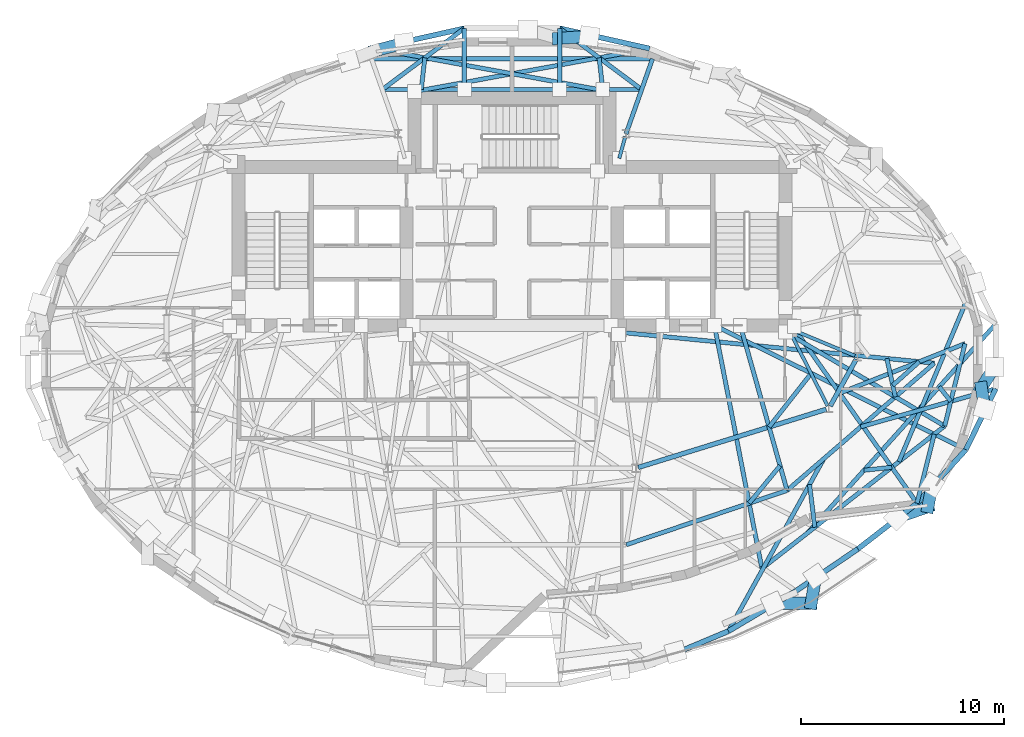
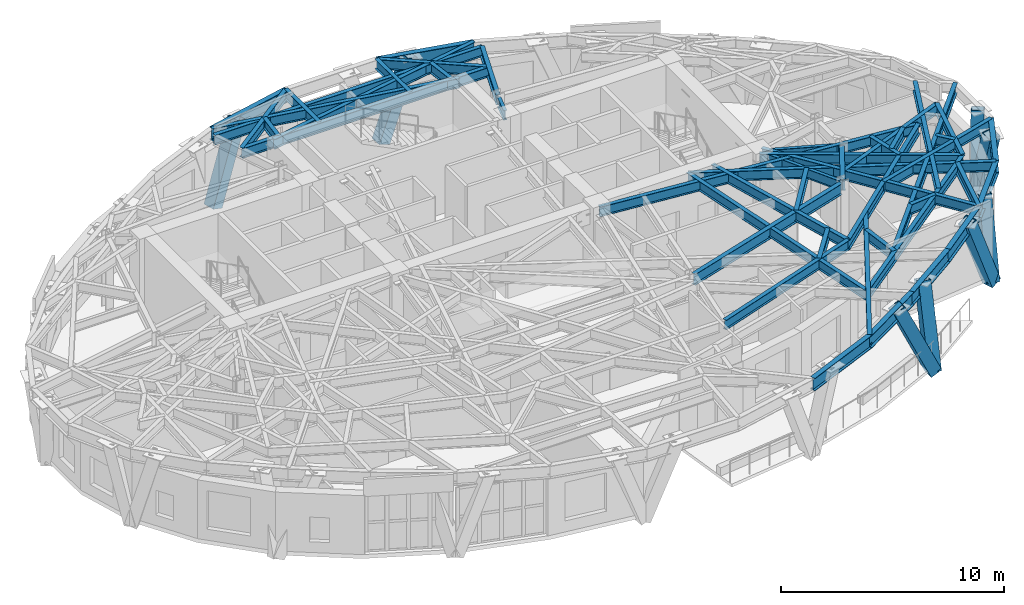
# One storey, part 5 of 15: 47 beams, 8 members.
"""IFC4 building model written with IfcOpenShell, lengths in metres."""

from ifc_helpers import new_model, si_unit, direction, frame, origin, origin_2d, place, context, subcontext, project, spatial, hollow_rectangle, i_section, extrude, material, material_profile, profile_set, type_object, element, save


model = new_model("IFC4")

# Units and contexts
model_context = context("Model", 3, precision=1e-05, world=origin(), true_north=direction((0.0, 1.0)))
body_context = subcontext(model_context, "Body", "Model", "MODEL_VIEW")
ifc_project = project(units=[si_unit("LENGTHUNIT", "METRE"), si_unit("AREAUNIT", "SQUARE_METRE"), si_unit("VOLUMEUNIT", "CUBIC_METRE"), si_unit("PLANEANGLEUNIT", "RADIAN"), si_unit("MASSUNIT", "GRAM", prefix="KILO")], contexts=[model_context])

# Site, building, storey
site_placement = place(None, origin())
site = spatial("IfcSite", under=ifc_project, at=site_placement, CompositionType="ELEMENT")
building_placement = place(site_placement, origin())
building = spatial("IfcBuilding", under=site, at=building_placement, Name="Keldmark Tower", CompositionType="ELEMENT")
storey_placement = place(building_placement, frame((0.0, 0.0, 205.89990234375)))
storey = spatial("IfcBuildingStorey", under=building, at=storey_placement, Name="L57", CompositionType="ELEMENT", Elevation=205.89990234375)

# Members
ifc_material_1 = material(Name="Steel ASTM A572 Grade 50", Category="steel")
ifc_material_profile_1 = material_profile(ifc_material_1, hollow_rectangle(XDim=0.60009765625, YDim=0.60009765625, WallThickness=0.034912109375, at=origin_2d()), Name="BOX600X600X35")
ifc_profile_set_1 = profile_set([ifc_material_profile_1], Name="Steel ASTM A572 Grade 50")
member_type = type_object("IfcMemberType", Name="Diagrid Zone 4 Brace BOX600X600X35", PredefinedType="BRACE", material=ifc_profile_set_1)
member_1_placement = place(storey_placement, frame((2.266357421875, 15.66650390625, -0.2998046875), z_axis=(0.352021323762, 0.024961309441, 0.93565908356), x_axis=(-0.070730920157, 0.997495432037, 0.0)))
element("IfcMember", 1, at=member_1_placement, inside=storey, type_object=member_type, Name="L57 Perimeter Diagrid Brace 04A", PredefinedType="BRACE", context=body_context, shape_type="SweptSolid", body=[
    extrude(hollow_rectangle(XDim=0.60009765625, YDim=0.60009765625, WallThickness=0.034912109375, at=origin_2d()), origin(), (0.0, 0.0, 1.0), 4.3818359375),
])
member_2_placement = place(storey_placement, frame((-6.7578125, 15.06005859375, -0.2998046875), z_axis=(0.333888809849, 0.087244799494, 0.938566251055), x_axis=(-0.252810854011, 0.967515721885, 0.0)))
element("IfcMember", 2, at=member_2_placement, inside=storey, type_object=member_type, Name="L57 Perimeter Diagrid Brace 05A", PredefinedType="BRACE", context=body_context, shape_type="SweptSolid", body=[
    extrude(hollow_rectangle(XDim=0.60009765625, YDim=0.60009765625, WallThickness=0.034912109375, at=origin_2d()), origin(), (0.0, 0.0, 1.0), 4.3681640625),
])
member_3_placement = place(storey_placement, frame((14.753173828125, -12.16064453125, -0.2998046875), z_axis=(-0.420410725839, -0.001350760589, 0.907332903099), x_axis=(0.003212938049, -0.999994838501, 0.0)))
element("IfcMember", 3, at=member_3_placement, inside=storey, type_object=member_type, Name="L57 Perimeter Diagrid Brace 14A", PredefinedType="BRACE", context=body_context, shape_type="SweptSolid", body=[
    extrude(hollow_rectangle(XDim=0.60009765625, YDim=0.60009765625, WallThickness=0.034912109375, at=origin_2d()), origin(), (0.0, 0.0, 1.0), 4.5185546875),
])
member_4_placement = place(storey_placement, frame((14.743408203125, -12.167236328125, -0.2998046875), z_axis=(0.052328467273, 0.310975761777, 0.9489761889), x_axis=(-0.986136029959, 0.165938935806, 0.0)))
element("IfcMember", 4, at=member_4_placement, inside=storey, type_object=member_type, Name="L57 Perimeter Diagrid Brace 14B", PredefinedType="BRACE", context=body_context, shape_type="SweptSolid", body=[
    extrude(hollow_rectangle(XDim=0.60009765625, YDim=0.60009765625, WallThickness=0.034912109375, at=origin_2d()), origin(), (0.0, 0.0, 1.0), 4.3203125),
])
member_5_placement = place(storey_placement, frame((20.50244140625, -7.409912109375, -0.2998046875), z_axis=(-0.353329180023, -0.121790033133, 0.927537426939), x_axis=(0.325876815168, -0.945412238833, 0.0)))
element("IfcMember", 5, at=member_5_placement, inside=storey, type_object=member_type, Name="L57 Perimeter Diagrid Brace 15A", PredefinedType="BRACE", context=body_context, shape_type="SweptSolid", body=[
    extrude(hollow_rectangle(XDim=0.60009765625, YDim=0.60009765625, WallThickness=0.034912109375, at=origin_2d()), origin(), (0.0, 0.0, 1.0), 4.420166015625),
])
member_6_placement = place(storey_placement, frame((20.495849609375, -7.419921875, -0.2998046875), z_axis=(0.049716248385, 0.25680022865, 0.965184923842), x_axis=(-0.981770592836, 0.190069732051, 0.0)))
element("IfcMember", 6, at=member_6_placement, inside=storey, type_object=member_type, Name="L57 Perimeter Diagrid Brace 15B", PredefinedType="BRACE", context=body_context, shape_type="SweptSolid", body=[
    extrude(hollow_rectangle(XDim=0.60009765625, YDim=0.60009765625, WallThickness=0.034912109375, at=origin_2d()), origin(), (0.0, 0.0, 1.0), 4.247802734375),
])
member_7_placement = place(storey_placement, frame((23.13037109375, -1.53125, -0.2998046875), z_axis=(0.036901688862, -0.247183656488, 0.968265720412), x_axis=(0.989039339136, 0.147652245637, 0.0)))
element("IfcMember", 7, at=member_7_placement, inside=storey, type_object=member_type, Name="L57 Perimeter Diagrid Brace 16A", PredefinedType="BRACE", context=body_context, shape_type="SweptSolid", body=[
    extrude(hollow_rectangle(XDim=0.60009765625, YDim=0.60009765625, WallThickness=0.034912109375, at=origin_2d()), origin(), (0.0, 0.0, 1.0), 4.234130859375),
])
member_8_placement = place(storey_placement, frame((23.128173828125, -1.542724609375, -0.2998046875), z_axis=(0.151222083396, 0.238173353109, 0.959377577058), x_axis=(-0.844211360784, 0.536010427439, 0.0)))
element("IfcMember", 8, at=member_8_placement, inside=storey, type_object=member_type, Name="L57 Perimeter Diagrid Brace 16B", PredefinedType="BRACE", context=body_context, shape_type="SweptSolid", body=[
    extrude(hollow_rectangle(XDim=0.60009765625, YDim=0.60009765625, WallThickness=0.034912109375, at=origin_2d()), origin(), (0.0, 0.0, 1.0), 4.2734375),
])

# Beams
ifc_material_2 = material(Name="Steel ASTM A992 Grade 50", Category="steel")
ifc_material_profile_2 = material_profile(ifc_material_2, i_section(OverallWidth=0.22802734375, OverallDepth=0.60302734375, WebThickness=0.010498046875, FlangeThickness=0.014892578125, at=origin_2d()), Name="W24X68")
ifc_profile_set_2 = profile_set([ifc_material_profile_2], Name="Steel ASTM A992 Grade 50")
beam_type_1 = type_object("IfcBeamType", Name="Primary Floor Girder W24X68", PredefinedType="BEAM", material=ifc_profile_set_2)
beam_1_placement = place(storey_placement, frame((6.223388671875, -5.471435546875, 3.61865234375), z_axis=(0.955383255089, 0.295368982622, 0.0), x_axis=(-0.295368982622, 0.955383255089, 0.0)))
element("IfcBeam", 9, at=beam_1_placement, inside=storey, type_object=beam_type_1, Name="L57 Floor Ring Girder FG-R10", PredefinedType="BEAM", context=body_context, shape_type="SweptSolid", body=[
    extrude(i_section(OverallWidth=0.22802734375, OverallDepth=0.60302734375, WebThickness=0.010498046875, FlangeThickness=0.014892578125, at=origin_2d()), origin(), (0.0, 0.0, 1.0), 9.69140625),
])
beam_2_placement = place(storey_placement, frame((15.68408203125, -2.44482421875, 3.61865234375), z_axis=(0.484719680408, 0.874669555561, 0.0), x_axis=(-0.874669555561, 0.484719680408, 0.0)))
element("IfcBeam", 10, at=beam_2_placement, inside=storey, type_object=beam_type_1, Name="L57 Floor Ring Girder FG-R11", PredefinedType="BEAM", context=body_context, shape_type="SweptSolid", body=[
    extrude(i_section(OverallWidth=0.22802734375, OverallDepth=0.60302734375, WebThickness=0.010498046875, FlangeThickness=0.014892578125, at=origin_2d()), origin(), (0.0, 0.0, 1.0), 2.627685546875),
])
ifc_material_3 = material(Name="Steel ASTM A992 Grade 50", Category="steel")
ifc_material_profile_3 = material_profile(ifc_material_3, i_section(OverallWidth=0.166015625, OverallDepth=0.529052734375, WebThickness=0.009765625, FlangeThickness=0.013671875, at=origin_2d()), Name="W21X50")
ifc_profile_set_3 = profile_set([ifc_material_profile_3], Name="Steel ASTM A992 Grade 50")
beam_type_2 = type_object("IfcBeamType", Name="Radial Tie Girder W21X50", PredefinedType="BEAM", material=ifc_profile_set_3)
beam_3_placement = place(storey_placement, frame((5.581298828125, 10.83203125, 3.655517578125), z_axis=(-0.265936023434, -0.963990680163, 0.0), x_axis=(0.963990680163, -0.265936023434, 0.0)))
element("IfcBeam", 11, at=beam_3_placement, inside=storey, type_object=beam_type_2, Name="L57 Floor Radial Girder FG-C03", PredefinedType="BEAM", context=body_context, shape_type="SweptSolid", body=[
    extrude(i_section(OverallWidth=0.166015625, OverallDepth=0.529052734375, WebThickness=0.009765625, FlangeThickness=0.013671875, at=origin_2d()), origin(), (0.0, 0.0, 1.0), 1.113525390625),
])
beam_4_placement = place(storey_placement, frame((15.552734375, -2.442626953125, 3.655517578125), z_axis=(-0.453004410574, 0.89150827478, 0.0), x_axis=(-0.89150827478, -0.453004410574, 0.0)))
element("IfcBeam", 12, at=beam_4_placement, inside=storey, type_object=beam_type_2, Name="L57 Floor Radial Girder FG-C11", PredefinedType="BEAM", context=body_context, shape_type="SweptSolid", body=[
    extrude(i_section(OverallWidth=0.166015625, OverallDepth=0.529052734375, WebThickness=0.009765625, FlangeThickness=0.013671875, at=origin_2d()), origin(), (0.0, 0.0, 1.0), 3.990234375),
])
beam_5_placement = place(storey_placement, frame((16.896240234375, 0.02978515625, 3.655517578125), z_axis=(-0.923403331902, 0.383831065226, 0.0), x_axis=(-0.383831065226, -0.923403331902, 0.0)))
element("IfcBeam", 13, at=beam_5_placement, inside=storey, type_object=beam_type_2, Name="L57 Floor Radial Girder FG-C12", PredefinedType="BEAM", context=body_context, shape_type="SweptSolid", body=[
    extrude(i_section(OverallWidth=0.166015625, OverallDepth=0.529052734375, WebThickness=0.009765625, FlangeThickness=0.013671875, at=origin_2d()), origin(), (0.0, 0.0, 1.0), 3.249755859375),
])
ifc_material_4 = material(Name="Steel ASTM A992 Grade 50", Category="steel")
ifc_material_profile_4 = material_profile(ifc_material_4, i_section(OverallWidth=0.2099609375, OverallDepth=0.537109375, WebThickness=0.010986328125, FlangeThickness=0.017333984375, at=origin_2d()), Name="W21X68")
ifc_profile_set_4 = profile_set([ifc_material_profile_4], Name="Steel ASTM A992 Grade 50")
beam_type_3 = type_object("IfcBeamType", Name="Radial Tie Girder W21X68", PredefinedType="BEAM", material=ifc_profile_set_4)
beam_6_placement = place(storey_placement, frame((14.7392578125, -0.841796875, 3.651611328125), z_axis=(-0.617618935056, -0.786477495584, 0.0), x_axis=(0.786477495584, -0.617618935056, 0.0)))
element("IfcBeam", 14, at=beam_6_placement, inside=storey, type_object=beam_type_3, Name="L57 Framing Pin Header PH-005", PredefinedType="BEAM", context=body_context, shape_type="SweptSolid", body=[
    extrude(i_section(OverallWidth=0.2099609375, OverallDepth=0.537109375, WebThickness=0.010986328125, FlangeThickness=0.017333984375, at=origin_2d()), origin(), (0.0, 0.0, 1.0), 3.352783203125),
])
beam_7_placement = place(storey_placement, frame((11.25, 1.52490234375, 3.651611328125), z_axis=(0.272717552045, -0.962094141343, 0.0), x_axis=(0.962094141343, 0.272717552045, 0.0)))
element("IfcBeam", 15, at=beam_7_placement, inside=storey, type_object=beam_type_3, Name="L57 Sub-Ring Step Girder STP1-M11", PredefinedType="BEAM", context=body_context, shape_type="SweptSolid", body=[
    extrude(i_section(OverallWidth=0.2099609375, OverallDepth=0.537109375, WebThickness=0.010986328125, FlangeThickness=0.017333984375, at=origin_2d()), origin(), (0.0, 0.0, 1.0), 8.45166015625),
])
beam_8_placement = place(storey_placement, frame((5.199951171875, 1.199951171875, 3.651611328125), z_axis=(0.995201014348, -0.097851627681, 0.0), x_axis=(0.097851627681, 0.995201014348, 0.0)))
element("IfcBeam", 16, at=beam_8_placement, inside=storey, type_object=beam_type_3, Name="L57 Sub-Ring Step Girder STP1-M12", PredefinedType="BEAM", context=body_context, shape_type="SweptSolid", body=[
    extrude(i_section(OverallWidth=0.2099609375, OverallDepth=0.537109375, WebThickness=0.010986328125, FlangeThickness=0.017333984375, at=origin_2d()), origin(), (0.0, 0.0, 1.0), 15.68603515625),
])
beam_9_placement = place(storey_placement, frame((5.629638671875, -9.2802734375, 3.651611328125), z_axis=(0.947526985523, 0.319675791555, 0.0), x_axis=(-0.319675791555, 0.947526985523, 0.0)))
element("IfcBeam", 17, at=beam_9_placement, inside=storey, type_object=beam_type_3, Name="L57 Perimeter Collector Ring Beam CRG1-M10", PredefinedType="BEAM", context=body_context, shape_type="SweptSolid", body=[
    extrude(i_section(OverallWidth=0.2099609375, OverallDepth=0.537109375, WebThickness=0.010986328125, FlangeThickness=0.017333984375, at=origin_2d()), origin(), (0.0, 0.0, 1.0), 8.3642578125),
])
beam_10_placement = place(storey_placement, frame((13.554931640625, -6.6064453125, 3.651611328125), z_axis=(0.756561937263, 0.653922040525, 0.0), x_axis=(-0.653922040525, 0.756561937263, 0.0)))
element("IfcBeam", 18, at=beam_10_placement, inside=storey, type_object=beam_type_3, Name="L57 Perimeter Collector Ring Beam CRG1-M11", PredefinedType="BEAM", context=body_context, shape_type="SweptSolid", body=[
    extrude(i_section(OverallWidth=0.2099609375, OverallDepth=0.537109375, WebThickness=0.010986328125, FlangeThickness=0.017333984375, at=origin_2d()), origin(), (0.0, 0.0, 1.0), 9.590576171875),
])
beam_11_placement = place(storey_placement, frame((13.209228515625, -5.38671875, 3.651611328125), z_axis=(-0.635492976901, -0.772106648274, 0.0), x_axis=(0.772106648274, -0.635492976901, 0.0)))
element("IfcBeam", 19, at=beam_11_placement, inside=storey, type_object=beam_type_3, Name="L57 Framing Pin Header PH-010", PredefinedType="BEAM", context=body_context, shape_type="SweptSolid", body=[
    extrude(i_section(OverallWidth=0.2099609375, OverallDepth=0.537109375, WebThickness=0.010986328125, FlangeThickness=0.017333984375, at=origin_2d()), origin(), (0.0, 0.0, 1.0), 2.396484375),
])
beam_12_placement = place(storey_placement, frame((9.97509765625, 1.52490234375, 3.651611328125), z_axis=(0.191675309718, -0.981458392213, 0.0), x_axis=(0.981458392213, 0.191675309718, 0.0)))
element("IfcBeam", 20, at=beam_12_placement, inside=storey, type_object=beam_type_3, Name="L57 Sub-Ring Step Girder STP2-M11", PredefinedType="BEAM", context=body_context, shape_type="SweptSolid", body=[
    extrude(i_section(OverallWidth=0.2099609375, OverallDepth=0.537109375, WebThickness=0.010986328125, FlangeThickness=0.017333984375, at=origin_2d()), origin(), (0.0, 0.0, 1.0), 12.2060546875),
])
beam_13_placement = place(storey_placement, frame((18.468994140625, -0.104736328125, 3.651611328125), z_axis=(0.216890425907, -0.976195955303, 0.0), x_axis=(0.976195955303, 0.216890425907, 0.0)))
element("IfcBeam", 21, at=beam_13_placement, inside=storey, type_object=beam_type_3, Name="L57 Framing Pin Header PH-011", PredefinedType="BEAM", context=body_context, shape_type="SweptSolid", body=[
    extrude(i_section(OverallWidth=0.2099609375, OverallDepth=0.537109375, WebThickness=0.010986328125, FlangeThickness=0.017333984375, at=origin_2d()), origin(), (0.0, 0.0, 1.0), 1.937255859375),
])
beam_14_placement = place(storey_placement, frame((13.47509765625, 1.199951171875, 3.651611328125), z_axis=(0.861156890222, -0.508339267048, 0.0), x_axis=(0.508339267048, 0.861156890222, 0.0)))
element("IfcBeam", 22, at=beam_14_placement, inside=storey, type_object=beam_type_3, Name="L57 Sub-Ring Step Girder STP2-M12", PredefinedType="BEAM", context=body_context, shape_type="SweptSolid", body=[
    extrude(i_section(OverallWidth=0.2099609375, OverallDepth=0.537109375, WebThickness=0.010986328125, FlangeThickness=0.017333984375, at=origin_2d()), origin(), (0.0, 0.0, 1.0), 9.111328125),
])
beam_15_placement = place(storey_placement, frame((12.314697265625, -10.454833984375, 3.651611328125), z_axis=(0.788585022885, 0.61492573672, 0.0), x_axis=(-0.61492573672, 0.788585022885, 0.0)))
element("IfcBeam", 23, at=beam_15_placement, inside=storey, type_object=beam_type_3, Name="L57 Perimeter Collector Ring Beam CRG2-M11", PredefinedType="BEAM", context=body_context, shape_type="SweptSolid", body=[
    extrude(i_section(OverallWidth=0.2099609375, OverallDepth=0.537109375, WebThickness=0.010986328125, FlangeThickness=0.017333984375, at=origin_2d()), origin(), (0.0, 0.0, 1.0), 11.421142578125),
])
beam_16_placement = place(storey_placement, frame((18.76318359375, -1.428466796875, 3.651611328125), z_axis=(0.745915401159, 0.666040700194, 0.0), x_axis=(-0.666040700194, 0.745915401159, 0.0)))
element("IfcBeam", 24, at=beam_16_placement, inside=storey, type_object=beam_type_3, Name="L57 Framing Pin Header PH-012", PredefinedType="BEAM", context=body_context, shape_type="SweptSolid", body=[
    extrude(i_section(OverallWidth=0.2099609375, OverallDepth=0.537109375, WebThickness=0.010986328125, FlangeThickness=0.017333984375, at=origin_2d()), origin(), (0.0, 0.0, 1.0), 1.75146484375),
])
beam_17_placement = place(storey_placement, frame((16.00244140625, -1.870361328125, 3.651611328125), z_axis=(0.929941009865, 0.36770874095, 0.0), x_axis=(-0.36770874095, 0.929941009865, 0.0)))
element("IfcBeam", 25, at=beam_17_placement, inside=storey, type_object=beam_type_3, Name="L57 Intermediate Radial Step Girder RT-01M", PredefinedType="BEAM", context=body_context, shape_type="SweptSolid", body=[
    extrude(i_section(OverallWidth=0.2099609375, OverallDepth=0.537109375, WebThickness=0.010986328125, FlangeThickness=0.017333984375, at=origin_2d()), origin(), (0.0, 0.0, 1.0), 6.796142578125),
])
beam_18_placement = place(storey_placement, frame((21.3212890625, -3.431640625, 3.651611328125), z_axis=(0.239416195825, 0.970917033107, 0.0), x_axis=(-0.970917033107, 0.239416195825, 0.0)))
element("IfcBeam", 26, at=beam_18_placement, inside=storey, type_object=beam_type_3, Name="L57 Local Collector Chord RT-01C", PredefinedType="BEAM", context=body_context, shape_type="SweptSolid", body=[
    extrude(i_section(OverallWidth=0.2099609375, OverallDepth=0.537109375, WebThickness=0.010986328125, FlangeThickness=0.017333984375, at=origin_2d()), origin(), (0.0, 0.0, 1.0), 4.181884765625),
])
beam_19_placement = place(storey_placement, frame((14.56640625, -8.69921875, 3.651611328125), z_axis=(0.669173129209, 0.743106535528, 0.0), x_axis=(-0.743106535528, 0.669173129209, 0.0)))
element("IfcBeam", 27, at=beam_19_placement, inside=storey, type_object=beam_type_3, Name="L57 Perimeter Radial Tie Girder RT-01", PredefinedType="BEAM", context=body_context, shape_type="SweptSolid", body=[
    extrude(i_section(OverallWidth=0.2099609375, OverallDepth=0.537109375, WebThickness=0.010986328125, FlangeThickness=0.017333984375, at=origin_2d()), origin(), (0.0, 0.0, 1.0), 13.849365234375),
])
beam_20_placement = place(storey_placement, frame((19.069580078125, -5.1875, 3.651611328125), z_axis=(0.386869944075, 0.922134288686, 0.0), x_axis=(-0.922134288686, 0.386869944075, 0.0)))
element("IfcBeam", 28, at=beam_20_placement, inside=storey, type_object=beam_type_3, Name="L57 Intermediate Radial Step Girder RT-02M", PredefinedType="BEAM", context=body_context, shape_type="SweptSolid", body=[
    extrude(i_section(OverallWidth=0.2099609375, OverallDepth=0.537109375, WebThickness=0.010986328125, FlangeThickness=0.017333984375, at=origin_2d()), origin(), (0.0, 0.0, 1.0), 8.46142578125),
])
beam_21_placement = place(storey_placement, frame((15.368896484375, -5.03857421875, 3.651611328125), z_axis=(-0.484071214072, -0.875028605079, 0.0), x_axis=(0.875028605079, -0.484071214072, 0.0)))
element("IfcBeam", 29, at=beam_21_placement, inside=storey, type_object=beam_type_3, Name="L57 Perimeter Radial Tie Girder RT-27", PredefinedType="BEAM", context=body_context, shape_type="SweptSolid", body=[
    extrude(i_section(OverallWidth=0.2099609375, OverallDepth=0.537109375, WebThickness=0.010986328125, FlangeThickness=0.017333984375, at=origin_2d()), origin(), (0.0, 0.0, 1.0), 9.711669921875),
])
beam_22_placement = place(storey_placement, frame((14.663818359375, -6.313232421875, 3.651611328125), z_axis=(0.121728395042, -0.992563447766, 0.0), x_axis=(0.992563447766, 0.121728395042, 0.0)))
element("IfcBeam", 30, at=beam_22_placement, inside=storey, type_object=beam_type_3, Name="L57 Framing Pin Header PH-029", PredefinedType="BEAM", context=body_context, shape_type="SweptSolid", body=[
    extrude(i_section(OverallWidth=0.2099609375, OverallDepth=0.537109375, WebThickness=0.010986328125, FlangeThickness=0.017333984375, at=origin_2d()), origin(), (0.0, 0.0, 1.0), 2.1240234375),
])
beam_23_placement = place(storey_placement, frame((17.3466796875, -5.61181640625, 3.651611328125), z_axis=(0.994286285301, 0.106746348243, 0.0), x_axis=(-0.106746348243, 0.994286285301, 0.0)))
element("IfcBeam", 31, at=beam_23_placement, inside=storey, type_object=beam_type_3, Name="L57 Framing Pin Header PH-030", PredefinedType="BEAM", context=body_context, shape_type="SweptSolid", body=[
    extrude(i_section(OverallWidth=0.2099609375, OverallDepth=0.537109375, WebThickness=0.010986328125, FlangeThickness=0.017333984375, at=origin_2d()), origin(), (0.0, 0.0, 1.0), 1.37451171875),
])
beam_24_placement = place(storey_placement, frame((13.800048828125, 1.52490234375, 3.651611328125), z_axis=(0.575066374524, -0.818106756415, 0.0), x_axis=(0.818106756415, 0.575066374524, 0.0)))
element("IfcBeam", 32, at=beam_24_placement, inside=storey, type_object=beam_type_3, Name="L57 Perimeter Radial Tie Girder RT-30", PredefinedType="BEAM", context=body_context, shape_type="SweptSolid", body=[
    extrude(i_section(OverallWidth=0.2099609375, OverallDepth=0.537109375, WebThickness=0.010986328125, FlangeThickness=0.017333984375, at=origin_2d()), origin(), (0.0, 0.0, 1.0), 10.708251953125),
])
beam_25_placement = place(storey_placement, frame((19.9580078125, -7.235595703125, 3.651611328125), z_axis=(0.242257238449, 0.970212054357, 0.0), x_axis=(-0.970212054357, 0.242257238449, 0.0)))
element("IfcBeam", 33, at=beam_25_placement, inside=storey, type_object=beam_type_3, Name="L57 Framing Pin Header PH-031", PredefinedType="BEAM", context=body_context, shape_type="SweptSolid", body=[
    extrude(i_section(OverallWidth=0.2099609375, OverallDepth=0.537109375, WebThickness=0.010986328125, FlangeThickness=0.017333984375, at=origin_2d()), origin(), (0.0, 0.0, 1.0), 3.508056640625),
])
beam_26_placement = place(storey_placement, frame((9.97509765625, 1.52490234375, 3.651611328125), z_axis=(0.896386437342, -0.443273453919, 0.0), x_axis=(0.443273453919, 0.896386437342, 0.0)))
element("IfcBeam", 34, at=beam_26_placement, inside=storey, type_object=beam_type_3, Name="L57 Perimeter Radial Tie Girder RT-31", PredefinedType="BEAM", context=body_context, shape_type="SweptSolid", body=[
    extrude(i_section(OverallWidth=0.2099609375, OverallDepth=0.537109375, WebThickness=0.010986328125, FlangeThickness=0.017333984375, at=origin_2d()), origin(), (0.0, 0.0, 1.0), 13.8203125),
])
beam_27_placement = place(storey_placement, frame((21.0537109375, -1.4951171875, 3.651611328125), z_axis=(0.617469165216, -0.786595086438, 0.0), x_axis=(0.786595086438, 0.617469165216, 0.0)))
element("IfcBeam", 35, at=beam_27_placement, inside=storey, type_object=beam_type_3, Name="L57 Framing Pin Header PH-032", PredefinedType="BEAM", context=body_context, shape_type="SweptSolid", body=[
    extrude(i_section(OverallWidth=0.2099609375, OverallDepth=0.537109375, WebThickness=0.010986328125, FlangeThickness=0.017333984375, at=origin_2d()), origin(), (0.0, 0.0, 1.0), 0.918212890625),
])
beam_28_placement = place(storey_placement, frame((17.182861328125, -3.470703125, 3.651611328125), z_axis=(0.96235661731, 0.271789884138, 0.0), x_axis=(-0.271789884138, 0.96235661731, 0.0)))
element("IfcBeam", 36, at=beam_28_placement, inside=storey, type_object=beam_type_3, Name="L57 Perimeter Radial Tie Girder RT-32", PredefinedType="BEAM", context=body_context, shape_type="SweptSolid", body=[
    extrude(i_section(OverallWidth=0.2099609375, OverallDepth=0.537109375, WebThickness=0.010986328125, FlangeThickness=0.017333984375, at=origin_2d()), origin(), (0.0, 0.0, 1.0), 6.911376953125),
])
beam_29_placement = place(storey_placement, frame((5.61865234375, 10.967041015625, 3.651611328125), z_axis=(0.332956941914, 0.942942031533, 0.0), x_axis=(-0.942942031533, 0.332956941914, 0.0)))
element("IfcBeam", 37, at=beam_29_placement, inside=storey, type_object=beam_type_3, Name="L57 North Column Cantilever Girder East FG-TCN-E", PredefinedType="BEAM", context=body_context, shape_type="SweptSolid", body=[
    extrude(i_section(OverallWidth=0.2099609375, OverallDepth=0.537109375, WebThickness=0.010986328125, FlangeThickness=0.017333984375, at=origin_2d()), origin(), (0.0, 0.0, 1.0), 3.919921875),
])
beam_30_placement = place(storey_placement, frame((-6.923828125, 14.663330078125, 3.651611328125), z_axis=(1.0, 0.0, 0.0), x_axis=(0.0, 1.0, 0.0)))
element("IfcBeam", 38, at=beam_30_placement, inside=storey, type_object=beam_type_3, Name="L57 North Outer Header Girder FG-TCN-H1", PredefinedType="BEAM", context=body_context, shape_type="SweptSolid", body=[
    extrude(i_section(OverallWidth=0.2099609375, OverallDepth=0.537109375, WebThickness=0.010986328125, FlangeThickness=0.017333984375, at=origin_2d()), origin(), (0.0, 0.0, 1.0), 13.84765625),
])
beam_31_placement = place(storey_placement, frame((-6.389404296875, 13.14990234375, 3.651611328125), z_axis=(1.0, 0.0, 0.0), x_axis=(0.0, 1.0, 0.0)))
element("IfcBeam", 39, at=beam_31_placement, inside=storey, type_object=beam_type_3, Name="L57 North Inner Header Girder FG-TCN-H0", PredefinedType="BEAM", context=body_context, shape_type="SweptSolid", body=[
    extrude(i_section(OverallWidth=0.2099609375, OverallDepth=0.537109375, WebThickness=0.010986328125, FlangeThickness=0.017333984375, at=origin_2d()), origin(), (0.0, 0.0, 1.0), 12.77880859375),
])
for number, where, z_axis, x_axis, name in (
    (40, (2.347412109375, 13.14990234375, 3.651611328125), (0.0, 1.0, 0.0), (-1.0, 0.0, 0.0), "L57 North Continuous Radial Girder RT-08N"),
    (41, (-2.347412109375, 13.14990234375, 3.651611328125), (0.0, 1.0, 0.0), (-1.0, 0.0, 0.0), "L57 North Continuous Radial Girder RT-09N"),
):
    element("IfcBeam", number, at=place(storey_placement, frame(where, z_axis=z_axis, x_axis=x_axis)), inside=storey, type_object=beam_type_3, Name=name, PredefinedType="BEAM", context=body_context, shape_type="SweptSolid", body=[
        extrude(i_section(OverallWidth=0.2099609375, OverallDepth=0.537109375, WebThickness=0.010986328125, FlangeThickness=0.017333984375, at=origin_2d()), origin(), (0.0, 0.0, 1.0), 3.015869140625),
    ])
beam_32_placement = place(storey_placement, frame((6.389404296875, 13.14990234375, 3.651611328125), z_axis=(-0.801484714018, 0.598015261674, 0.0), x_axis=(-0.598015261674, -0.801484714018, 0.0)))
element("IfcBeam", 42, at=beam_32_placement, inside=storey, type_object=beam_type_3, Name="L57 Straddling Support Chord RT-07RB", PredefinedType="BEAM", context=body_context, shape_type="SweptSolid", body=[
    extrude(i_section(OverallWidth=0.2099609375, OverallDepth=0.537109375, WebThickness=0.010986328125, FlangeThickness=0.017333984375, at=origin_2d()), origin(), (0.0, 0.0, 1.0), 5.043212890625),
])
beam_33_placement = place(storey_placement, frame((4.47265625, 13.14990234375, 3.651611328125), z_axis=(-0.113275255472, 0.993563644915, 0.0), x_axis=(-0.993563644915, -0.113275255472, 0.0)))
element("IfcBeam", 43, at=beam_33_placement, inside=storey, type_object=beam_type_3, Name="L57 Framing Pin Header PH-034", PredefinedType="BEAM", context=body_context, shape_type="SweptSolid", body=[
    extrude(i_section(OverallWidth=0.2099609375, OverallDepth=0.537109375, WebThickness=0.010986328125, FlangeThickness=0.017333984375, at=origin_2d()), origin(), (0.0, 0.0, 1.0), 1.5732421875),
])
beam_34_placement = place(storey_placement, frame((-4.800048828125, 13.050048828125, 3.651611328125), z_axis=(0.98369029267, 0.179870531513, 0.0), x_axis=(-0.179870531513, 0.98369029267, 0.0)))
element("IfcBeam", 44, at=beam_34_placement, inside=storey, type_object=beam_type_3, Name="L57 Perimeter Radial Tie Girder RT-07R", PredefinedType="BEAM", context=body_context, shape_type="SweptSolid", body=[
    extrude(i_section(OverallWidth=0.2099609375, OverallDepth=0.537109375, WebThickness=0.010986328125, FlangeThickness=0.017333984375, at=origin_2d()), origin(), (0.0, 0.0, 1.0), 11.776123046875),
])
beam_35_placement = place(storey_placement, frame((-2.347412109375, 16.165771484375, 3.651611328125), z_axis=(-0.801484714018, -0.598015261674, 0.0), x_axis=(0.598015261674, -0.801484714018, 0.0)))
element("IfcBeam", 45, at=beam_35_placement, inside=storey, type_object=beam_type_3, Name="L57 Straddling Support Chord RT-10RB", PredefinedType="BEAM", context=body_context, shape_type="SweptSolid", body=[
    extrude(i_section(OverallWidth=0.2099609375, OverallDepth=0.537109375, WebThickness=0.010986328125, FlangeThickness=0.017333984375, at=origin_2d()), origin(), (0.0, 0.0, 1.0), 5.043212890625),
])
beam_36_placement = place(storey_placement, frame((-4.47265625, 13.14990234375, 3.651611328125), z_axis=(0.113275255472, 0.993563644915, 0.0), x_axis=(-0.993563644915, 0.113275255472, 0.0)))
element("IfcBeam", 46, at=beam_36_placement, inside=storey, type_object=beam_type_3, Name="L57 Framing Pin Header PH-035", PredefinedType="BEAM", context=body_context, shape_type="SweptSolid", body=[
    extrude(i_section(OverallWidth=0.2099609375, OverallDepth=0.537109375, WebThickness=0.010986328125, FlangeThickness=0.017333984375, at=origin_2d()), origin(), (0.0, 0.0, 1.0), 1.5732421875),
])
beam_37_placement = place(storey_placement, frame((4.800048828125, 13.050048828125, 3.651611328125), z_axis=(-0.98369029267, 0.179870531513, 0.0), x_axis=(-0.179870531513, -0.98369029267, 0.0)))
element("IfcBeam", 47, at=beam_37_placement, inside=storey, type_object=beam_type_3, Name="L57 Perimeter Radial Tie Girder RT-10R", PredefinedType="BEAM", context=body_context, shape_type="SweptSolid", body=[
    extrude(i_section(OverallWidth=0.2099609375, OverallDepth=0.537109375, WebThickness=0.010986328125, FlangeThickness=0.017333984375, at=origin_2d()), origin(), (0.0, 0.0, 1.0), 11.776123046875),
])
ifc_material_5 = material(Name="Steel ASTM A992 Grade 50", Category="steel")
ifc_material_profile_5 = material_profile(ifc_material_5, i_section(OverallWidth=0.256103515625, OverallDepth=0.693115234375, WebThickness=0.014404296875, FlangeThickness=0.023681640625, at=origin_2d()), Name="W27X114")
ifc_profile_set_5 = profile_set([ifc_material_profile_5], Name="Steel ASTM A992 Grade 50")
beam_type_4 = type_object("IfcBeamType", Name="Spandrel Ring Beam W27X114", PredefinedType="SPANDREL", material=ifc_profile_set_5)
for number, where, z_axis, x_axis, name in (
    (48, (6.783935546875, 15.168212890625, 3.573486328125), (-0.97564079092, 0.219374217021, 0.0), (-0.219374217021, -0.97564079092, 0.0), "L57 Perimeter Spandrel Ring Beam SRB-07"),
    (49, (-2.347412109375, 16.165771484375, 3.573486328125), (-0.97564079092, -0.219374217021, 0.0), (0.219374217021, -0.97564079092, 0.0), "L57 Perimeter Spandrel Ring Beam SRB-09"),
):
    element("IfcBeam", number, at=place(storey_placement, frame(where, z_axis=z_axis, x_axis=x_axis)), inside=storey, type_object=beam_type_4, Name=name, PredefinedType="SPANDREL", context=body_context, shape_type="SweptSolid", body=[
        extrude(i_section(OverallWidth=0.256103515625, OverallDepth=0.693115234375, WebThickness=0.014404296875, FlangeThickness=0.023681640625, at=origin_2d()), origin(), (0.0, 0.0, 1.0), 4.54736328125),
    ])
beam_38_placement = place(storey_placement, frame((6.783935546875, -15.168212890625, 3.573486328125), z_axis=(0.921948168537, 0.387313276988, 0.0), x_axis=(-0.387313276988, 0.921948168537, 0.0)))
element("IfcBeam", 50, at=beam_38_placement, inside=storey, type_object=beam_type_4, Name="L57 Perimeter Spandrel Ring Beam SRB-26", PredefinedType="SPANDREL", context=body_context, shape_type="SweptSolid", body=[
    extrude(i_section(OverallWidth=0.256103515625, OverallDepth=0.693115234375, WebThickness=0.014404296875, FlangeThickness=0.023681640625, at=origin_2d()), origin(), (0.0, 0.0, 1.0), 4.212646484375),
])
beam_39_placement = place(storey_placement, frame((10.667724609375, -13.53662109375, 3.573486328125), z_axis=(0.85946011514, 0.511202807586, 0.0), x_axis=(-0.511202807586, 0.85946011514, 0.0)))
element("IfcBeam", 51, at=beam_39_placement, inside=storey, type_object=beam_type_4, Name="L57 Perimeter Spandrel Ring Beam SRB-27", PredefinedType="SPANDREL", context=body_context, shape_type="SweptSolid", body=[
    extrude(i_section(OverallWidth=0.256103515625, OverallDepth=0.693115234375, WebThickness=0.014404296875, FlangeThickness=0.023681640625, at=origin_2d()), origin(), (0.0, 0.0, 1.0), 3.864013671875),
])
beam_40_placement = place(storey_placement, frame((13.98876953125, -11.561279296875, 3.573486328125), z_axis=(0.827589832786, 0.561333295529, 0.0), x_axis=(-0.561333295529, 0.827589832786, 0.0)))
element("IfcBeam", 52, at=beam_40_placement, inside=storey, type_object=beam_type_4, Name="L57 Perimeter Spandrel Ring Beam SRB-28", PredefinedType="SPANDREL", context=body_context, shape_type="SweptSolid", body=[
    extrude(i_section(OverallWidth=0.256103515625, OverallDepth=0.693115234375, WebThickness=0.014404296875, FlangeThickness=0.023681640625, at=origin_2d()), origin(), (0.0, 0.0, 1.0), 3.693359375),
])
beam_41_placement = place(storey_placement, frame((17.04541015625, -9.488037109375, 3.573486328125), z_axis=(0.791048705713, 0.611753173421, 0.0), x_axis=(-0.611753173421, 0.791048705713, 0.0)))
element("IfcBeam", 53, at=beam_41_placement, inside=storey, type_object=beam_type_4, Name="L57 Perimeter Spandrel Ring Beam SRB-29", PredefinedType="SPANDREL", context=body_context, shape_type="SweptSolid", body=[
    extrude(i_section(OverallWidth=0.256103515625, OverallDepth=0.693115234375, WebThickness=0.014404296875, FlangeThickness=0.023681640625, at=origin_2d()), origin(), (0.0, 0.0, 1.0), 3.681884765625),
])
beam_42_placement = place(storey_placement, frame((19.9580078125, -7.235595703125, 3.573486328125), z_axis=(0.674316422374, 0.738442524857, 0.0), x_axis=(-0.738442524857, 0.674316422374, 0.0)))
element("IfcBeam", 54, at=beam_42_placement, inside=storey, type_object=beam_type_4, Name="L57 Perimeter Spandrel Ring Beam SRB-30", PredefinedType="SPANDREL", context=body_context, shape_type="SweptSolid", body=[
    extrude(i_section(OverallWidth=0.256103515625, OverallDepth=0.693115234375, WebThickness=0.014404296875, FlangeThickness=0.023681640625, at=origin_2d()), origin(), (0.0, 0.0, 1.0), 3.5673828125),
])
beam_43_placement = place(storey_placement, frame((22.363525390625, -4.601318359375, 3.573486328125), z_axis=(0.439059769954, 0.898457855666, 0.0), x_axis=(-0.898457855666, 0.439059769954, 0.0)))
element("IfcBeam", 55, at=beam_43_placement, inside=storey, type_object=beam_type_4, Name="L57 Perimeter Spandrel Ring Beam SRB-31", PredefinedType="SPANDREL", context=body_context, shape_type="SweptSolid", body=[
    extrude(i_section(OverallWidth=0.256103515625, OverallDepth=0.693115234375, WebThickness=0.014404296875, FlangeThickness=0.023681640625, at=origin_2d()), origin(), (0.0, 0.0, 1.0), 3.34912109375),
])

save(model, "model.ifc")
